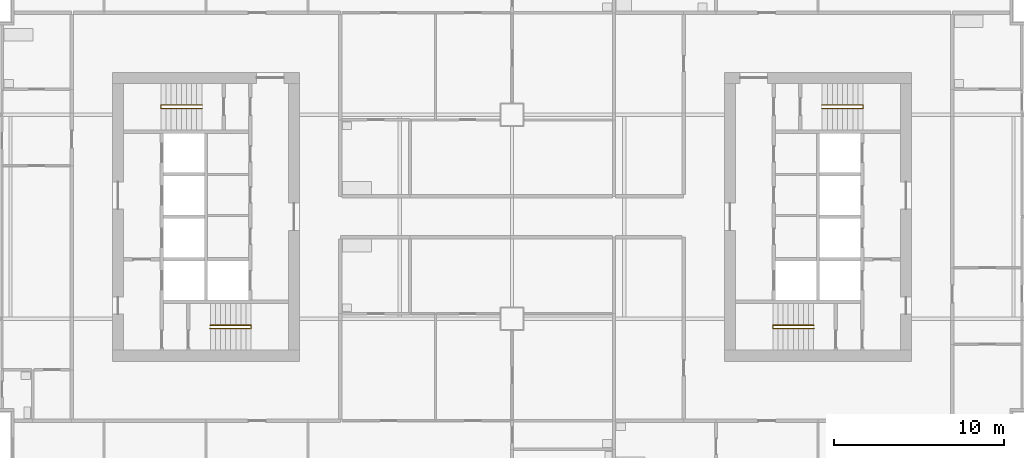
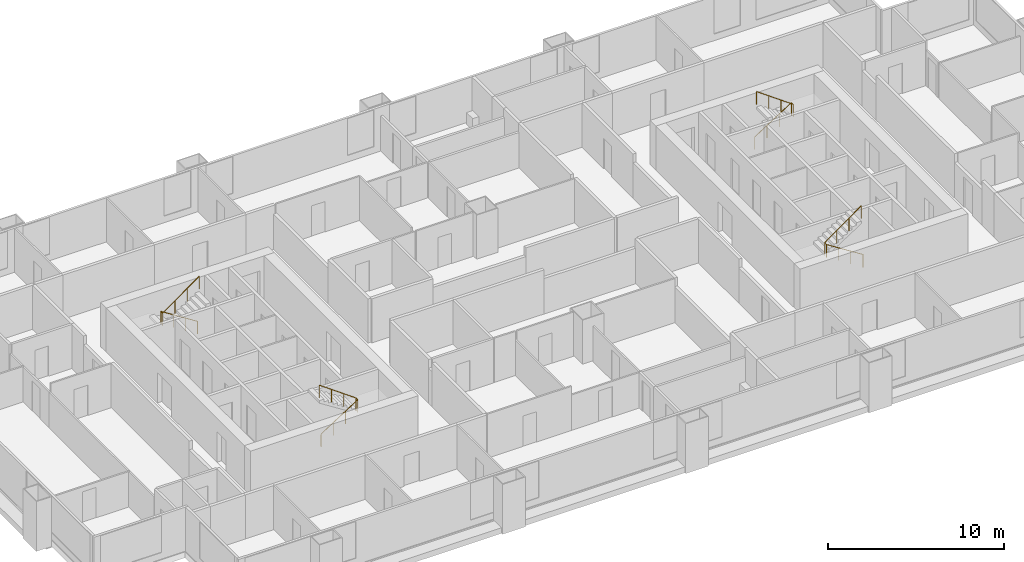
# One storey, part 9 of 10: 4 railings.
"""IFC4 building model written with IfcOpenShell, lengths in metres."""

from ifc_helpers import new_model, si_unit, direction, frame, origin, origin_2d, place, context, subcontext, project, spatial, circle, extrude, material, type_object, element, save


model = new_model("IFC4")

# Units and contexts
model_context = context("Model", 3, precision=1e-05, world=origin(), true_north=direction((0.0, 1.0)))
body_context = subcontext(model_context, "Body", "Model", "MODEL_VIEW")
ifc_project = project(units=[si_unit("LENGTHUNIT", "METRE"), si_unit("AREAUNIT", "SQUARE_METRE"), si_unit("VOLUMEUNIT", "CUBIC_METRE"), si_unit("PLANEANGLEUNIT", "RADIAN"), si_unit("MASSUNIT", "GRAM", prefix="KILO")], contexts=[model_context])

# Site, building, storey
site_placement = place(None, origin())
site = spatial("IfcSite", under=ifc_project, at=site_placement, CompositionType="ELEMENT")
building_placement = place(site_placement, origin())
building = spatial("IfcBuilding", under=site, at=building_placement, Name="Kitamizu Gate Tower and Museum", CompositionType="ELEMENT")
storey_placement = place(building_placement, frame((0.0, 0.0, 117.300048828125)))
storey = spatial("IfcBuildingStorey", under=building, at=storey_placement, Name="L30", CompositionType="ELEMENT", Elevation=117.300048828125)

# Railings
ifc_material = material(Name="Stainless steel SUS304", Category="steel")
railing_type = type_object("IfcRailingType", Name="Stair handrail 900", PredefinedType="HANDRAIL", material=ifc_material)
railing_1_placement = place(storey_placement, frame((18.25, 23.425048828125, 0.191650390625)))
element("IfcRailing", 1, at=railing_1_placement, inside=storey, type_object=railing_type, Name="Stair handrail ST1", PredefinedType="HANDRAIL", context=body_context, shape_type="SweptSolid", body=[
    extrude(circle(Radius=0.02392578125, at=origin_2d()), frame((0.0, 0.0, 0.8759765625), z_axis=(0.84270706373, 0.0, 0.538372366248), x_axis=(0.0, 1.0, 0.0)), (0.0, 0.0, 1.0), 2.847900390625),
    extrude(circle(Radius=0.02392578125, at=origin_2d()), frame((2.39990234375, 0.0, 2.4091796875), z_axis=(0.0, 1.0, 0.0), x_axis=(-1.0, 0.0, 0.0)), (0.0, 0.0, 1.0), 0.199951171875),
    extrude(circle(Radius=0.02392578125, at=origin_2d()), frame((2.39990234375, 0.199951171875, 2.4091796875), z_axis=(-0.811988456656, 0.0, 0.583673492852), x_axis=(0.0, -1.0, 0.0)), (0.0, 0.0, 1.0), 2.95556640625),
    extrude(circle(Radius=0.02099609375, at=origin_2d()), origin(), (0.0, 0.0, 1.0), 0.851806640625),
    extrude(circle(Radius=0.02099609375, at=origin_2d()), frame((0.800048828125, 0.0, 0.510986328125)), (0.0, 0.0, 1.0), 0.851806640625),
    extrude(circle(Radius=0.02099609375, at=origin_2d()), frame((1.599853515625, 0.0, 1.022216796875)), (0.0, 0.0, 1.0), 0.851806640625),
    extrude(circle(Radius=0.02099609375, at=origin_2d()), frame((2.39990234375, 0.0, 1.533203125)), (0.0, 0.0, 1.0), 0.851806640625),
    extrude(circle(Radius=0.02099609375, at=origin_2d()), frame((2.39990234375, 0.199951171875, 1.533203125)), (0.0, 0.0, 1.0), 0.851806640625),
    extrude(circle(Radius=0.02099609375, at=origin_2d()), frame((1.599853515625, 0.199951171875, 2.108154296875)), (0.0, 0.0, 1.0), 0.851806640625),
    extrude(circle(Radius=0.02099609375, at=origin_2d()), frame((0.800048828125, 0.199951171875, 2.683349609375)), (0.0, 0.0, 1.0), 0.851806640625),
    extrude(circle(Radius=0.02099609375, at=origin_2d()), frame((0.0, 0.199951171875, 3.25830078125)), (0.0, 0.0, 1.0), 0.851806640625),
])
railing_2_placement = place(storey_placement, frame((17.75, 36.574951171875, 0.191650390625)))
element("IfcRailing", 2, at=railing_2_placement, inside=storey, type_object=railing_type, Name="Stair handrail ST2", PredefinedType="HANDRAIL", context=body_context, shape_type="SweptSolid", body=[
    extrude(circle(Radius=0.02392578125, at=origin_2d()), frame((0.0, 0.0, 0.8759765625), z_axis=(-0.84270706373, 0.0, 0.538372366248), x_axis=(0.0, -1.0, 0.0)), (0.0, 0.0, 1.0), 2.847900390625),
    extrude(circle(Radius=0.02392578125, at=origin_2d()), frame((-2.39990234375, 0.0, 2.4091796875), z_axis=(0.0, -1.0, 0.0), x_axis=(1.0, 0.0, 0.0)), (0.0, 0.0, 1.0), 0.199951171875),
    extrude(circle(Radius=0.02392578125, at=origin_2d()), frame((-2.39990234375, -0.199951171875, 2.4091796875), z_axis=(0.811988456656, 0.0, 0.583673492852), x_axis=(0.0, 1.0, 0.0)), (0.0, 0.0, 1.0), 2.95556640625),
    extrude(circle(Radius=0.02099609375, at=origin_2d()), origin(), (0.0, 0.0, 1.0), 0.851806640625),
    extrude(circle(Radius=0.02099609375, at=origin_2d()), frame((-0.800048828125, 0.0, 0.510986328125)), (0.0, 0.0, 1.0), 0.851806640625),
    extrude(circle(Radius=0.02099609375, at=origin_2d()), frame((-1.599853515625, 0.0, 1.022216796875)), (0.0, 0.0, 1.0), 0.851806640625),
    extrude(circle(Radius=0.02099609375, at=origin_2d()), frame((-2.39990234375, 0.0, 1.533203125)), (0.0, 0.0, 1.0), 0.851806640625),
    extrude(circle(Radius=0.02099609375, at=origin_2d()), frame((-2.39990234375, -0.199951171875, 1.533203125)), (0.0, 0.0, 1.0), 0.851806640625),
    extrude(circle(Radius=0.02099609375, at=origin_2d()), frame((-1.599853515625, -0.199951171875, 2.108154296875)), (0.0, 0.0, 1.0), 0.851806640625),
    extrude(circle(Radius=0.02099609375, at=origin_2d()), frame((-0.800048828125, -0.199951171875, 2.683349609375)), (0.0, 0.0, 1.0), 0.851806640625),
    extrude(circle(Radius=0.02099609375, at=origin_2d()), frame((0.0, -0.199951171875, 3.25830078125)), (0.0, 0.0, 1.0), 0.851806640625),
])
railing_3_placement = place(storey_placement, frame((53.75, 23.425048828125, 0.191650390625)))
element("IfcRailing", 3, at=railing_3_placement, inside=storey, type_object=railing_type, Name="Stair handrail ST3", PredefinedType="HANDRAIL", context=body_context, shape_type="SweptSolid", body=[
    extrude(circle(Radius=0.02392578125, at=origin_2d()), frame((0.0, 0.0, 0.8759765625), z_axis=(-0.84270706373, 0.0, 0.538372366248), x_axis=(0.0, -1.0, 0.0)), (0.0, 0.0, 1.0), 2.847900390625),
    extrude(circle(Radius=0.02392578125, at=origin_2d()), frame((-2.39990234375, 0.0, 2.4091796875), z_axis=(0.0, 1.0, 0.0), x_axis=(-1.0, 0.0, 0.0)), (0.0, 0.0, 1.0), 0.199951171875),
    extrude(circle(Radius=0.02392578125, at=origin_2d()), frame((-2.39990234375, 0.199951171875, 2.4091796875), z_axis=(0.811988456656, 0.0, 0.583673492852), x_axis=(0.0, 1.0, 0.0)), (0.0, 0.0, 1.0), 2.95556640625),
    extrude(circle(Radius=0.02099609375, at=origin_2d()), origin(), (0.0, 0.0, 1.0), 0.851806640625),
    extrude(circle(Radius=0.02099609375, at=origin_2d()), frame((-0.800048828125, 0.0, 0.510986328125)), (0.0, 0.0, 1.0), 0.851806640625),
    extrude(circle(Radius=0.02099609375, at=origin_2d()), frame((-1.599853515625, 0.0, 1.022216796875)), (0.0, 0.0, 1.0), 0.851806640625),
    extrude(circle(Radius=0.02099609375, at=origin_2d()), frame((-2.39990234375, 0.0, 1.533203125)), (0.0, 0.0, 1.0), 0.851806640625),
    extrude(circle(Radius=0.02099609375, at=origin_2d()), frame((-2.39990234375, 0.199951171875, 1.533203125)), (0.0, 0.0, 1.0), 0.851806640625),
    extrude(circle(Radius=0.02099609375, at=origin_2d()), frame((-1.599853515625, 0.199951171875, 2.108154296875)), (0.0, 0.0, 1.0), 0.851806640625),
    extrude(circle(Radius=0.02099609375, at=origin_2d()), frame((-0.800048828125, 0.199951171875, 2.683349609375)), (0.0, 0.0, 1.0), 0.851806640625),
    extrude(circle(Radius=0.02099609375, at=origin_2d()), frame((0.0, 0.199951171875, 3.25830078125)), (0.0, 0.0, 1.0), 0.851806640625),
])
railing_4_placement = place(storey_placement, frame((54.25, 36.574951171875, 0.191650390625)))
element("IfcRailing", 4, at=railing_4_placement, inside=storey, type_object=railing_type, Name="Stair handrail ST4", PredefinedType="HANDRAIL", context=body_context, shape_type="SweptSolid", body=[
    extrude(circle(Radius=0.02392578125, at=origin_2d()), frame((0.0, 0.0, 0.8759765625), z_axis=(0.84270706373, 0.0, 0.538372366248), x_axis=(0.0, 1.0, 0.0)), (0.0, 0.0, 1.0), 2.847900390625),
    extrude(circle(Radius=0.02392578125, at=origin_2d()), frame((2.39990234375, 0.0, 2.4091796875), z_axis=(0.0, -1.0, 0.0), x_axis=(1.0, 0.0, 0.0)), (0.0, 0.0, 1.0), 0.199951171875),
    extrude(circle(Radius=0.02392578125, at=origin_2d()), frame((2.39990234375, -0.199951171875, 2.4091796875), z_axis=(-0.811988456656, 0.0, 0.583673492852), x_axis=(0.0, -1.0, 0.0)), (0.0, 0.0, 1.0), 2.95556640625),
    extrude(circle(Radius=0.02099609375, at=origin_2d()), origin(), (0.0, 0.0, 1.0), 0.851806640625),
    extrude(circle(Radius=0.02099609375, at=origin_2d()), frame((0.800048828125, 0.0, 0.510986328125)), (0.0, 0.0, 1.0), 0.851806640625),
    extrude(circle(Radius=0.02099609375, at=origin_2d()), frame((1.599853515625, 0.0, 1.022216796875)), (0.0, 0.0, 1.0), 0.851806640625),
    extrude(circle(Radius=0.02099609375, at=origin_2d()), frame((2.39990234375, 0.0, 1.533203125)), (0.0, 0.0, 1.0), 0.851806640625),
    extrude(circle(Radius=0.02099609375, at=origin_2d()), frame((2.39990234375, -0.199951171875, 1.533203125)), (0.0, 0.0, 1.0), 0.851806640625),
    extrude(circle(Radius=0.02099609375, at=origin_2d()), frame((1.599853515625, -0.199951171875, 2.108154296875)), (0.0, 0.0, 1.0), 0.851806640625),
    extrude(circle(Radius=0.02099609375, at=origin_2d()), frame((0.800048828125, -0.199951171875, 2.683349609375)), (0.0, 0.0, 1.0), 0.851806640625),
    extrude(circle(Radius=0.02099609375, at=origin_2d()), frame((0.0, -0.199951171875, 3.25830078125)), (0.0, 0.0, 1.0), 0.851806640625),
])

save(model, "model.ifc")
